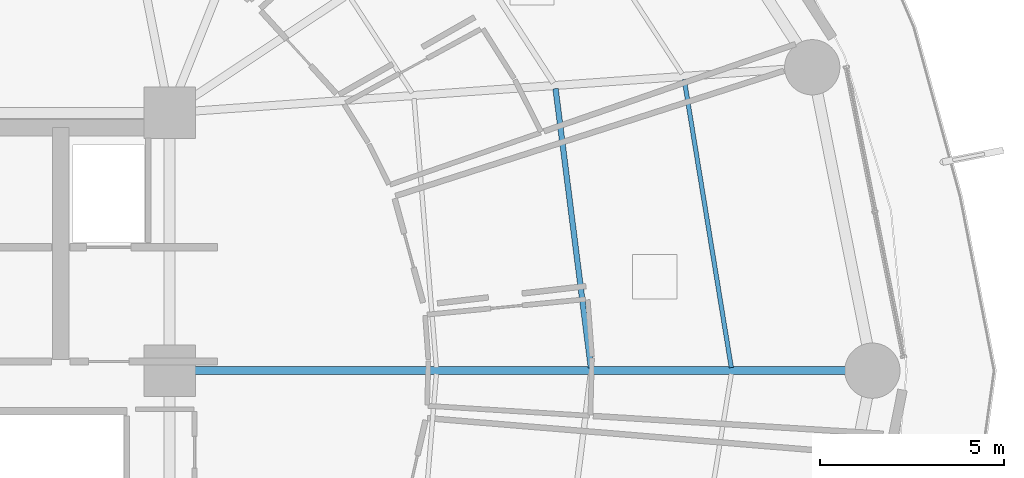
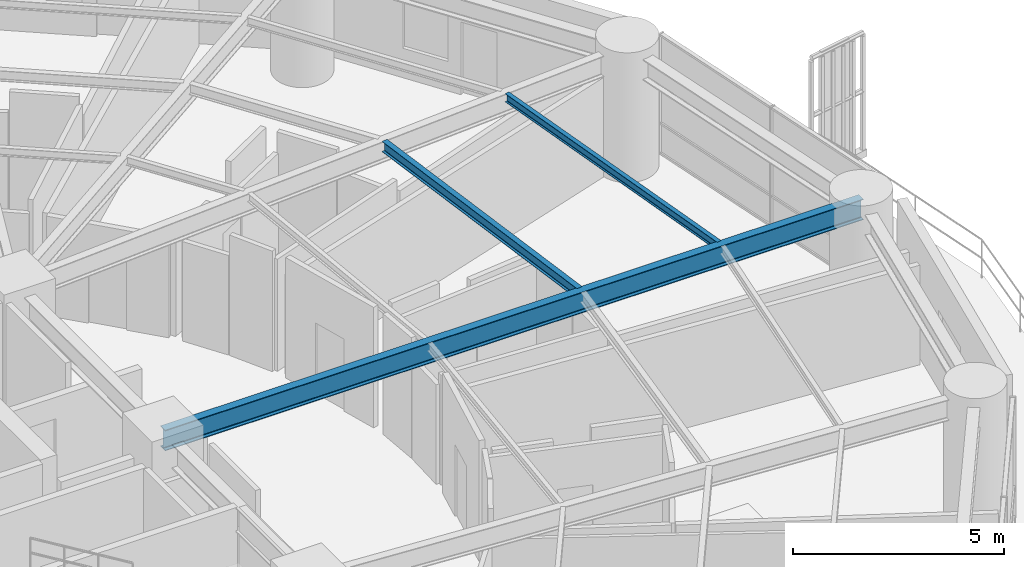
# One storey, part 13 of 31: 3 beams.
"""IFC4 building model written with IfcOpenShell, lengths in metres."""

from ifc_helpers import new_model, si_unit, direction, frame, origin, origin_2d, place, context, subcontext, project, spatial, i_section, extrude, material, material_profile, profile_set, type_object, element, save


model = new_model("IFC4")

# Units and contexts
model_context = context("Model", 3, precision=1e-05, world=origin(), true_north=direction((0.0, 1.0)))
body_context = subcontext(model_context, "Body", "Model", "MODEL_VIEW")
ifc_project = project(units=[si_unit("LENGTHUNIT", "METRE"), si_unit("AREAUNIT", "SQUARE_METRE"), si_unit("VOLUMEUNIT", "CUBIC_METRE"), si_unit("PLANEANGLEUNIT", "RADIAN"), si_unit("MASSUNIT", "GRAM", prefix="KILO")], contexts=[model_context])

# Site, building, storey
site_placement = place(None, origin())
site = spatial("IfcSite", under=ifc_project, at=site_placement, CompositionType="ELEMENT")
building_placement = place(site_placement, origin())
building = spatial("IfcBuilding", under=site, at=building_placement, Name="Kelanora Arch Commons", CompositionType="ELEMENT")
storey_placement = place(building_placement, frame((0.0, 0.0, 63.75)))
storey = spatial("IfcBuildingStorey", under=building, at=storey_placement, Name="L16", CompositionType="ELEMENT", Elevation=63.75)

# Beams
ifc_material = material(Name="Steel S355", Category="steel")
ifc_material_profile_1 = material_profile(ifc_material, i_section(OverallWidth=0.14990234375, OverallDepth=0.300048828125, WebThickness=0.007080078125, FlangeThickness=0.0107421875, FilletRadius=0.014892578125, at=origin_2d()), Name="IPE300")
ifc_profile_set_1 = profile_set([ifc_material_profile_1], Name="Steel S355")
beam_type_1 = type_object("IfcBeamType", Name="BM-JST-01", PredefinedType="JOIST", material=ifc_profile_set_1)
beam_1_placement = place(storey_placement, frame((93.437255859375, 58.084228515625, 3.340087890625), z_axis=(-0.125565841651, 0.992085288375, 0.0), x_axis=(-0.992085288375, -0.125565841651, 0.0)))
element("IfcBeam", 1, at=beam_1_placement, inside=storey, type_object=beam_type_1, Name="Secondary Chord Joist BJB-00 L16", PredefinedType="JOIST", context=body_context, shape_type="SweptSolid", body=[
    extrude(i_section(OverallWidth=0.14990234375, OverallDepth=0.300048828125, WebThickness=0.007080078125, FlangeThickness=0.0107421875, FilletRadius=0.014892578125, at=origin_2d()), origin(), (0.0, 0.0, 1.0), 7.63330078125),
])
ifc_material_profile_2 = material_profile(ifc_material, i_section(OverallWidth=0.1201171875, OverallDepth=0.239990234375, WebThickness=0.006103515625, FlangeThickness=0.009765625, FilletRadius=0.014892578125, at=origin_2d()), Name="IPE240")
ifc_profile_set_2 = profile_set([ifc_material_profile_2], Name="Steel S355")
beam_type_2 = type_object("IfcBeamType", Name="BM-JST-02", PredefinedType="JOIST", material=ifc_profile_set_2)
beam_2_placement = place(storey_placement, frame((97.250244140625, 58.083984375, 3.3701171875), z_axis=(-0.161400737199, 0.986888951216, 0.0), x_axis=(-0.986888951216, -0.161400737199, 0.0)))
element("IfcBeam", 2, at=beam_2_placement, inside=storey, type_object=beam_type_2, Name="Secondary Chord Joist BJC-00 L16", PredefinedType="JOIST", context=body_context, shape_type="SweptSolid", body=[
    extrude(i_section(OverallWidth=0.1201171875, OverallDepth=0.239990234375, WebThickness=0.006103515625, FlangeThickness=0.009765625, FilletRadius=0.014892578125, at=origin_2d()), origin(), (0.0, 0.0, 1.0), 7.9248046875),
])
ifc_material_profile_3 = material_profile(ifc_material, i_section(OverallWidth=0.219970703125, OverallDepth=0.60009765625, WebThickness=0.011962890625, FlangeThickness=0.01904296875, FilletRadius=0.02392578125, at=origin_2d()), Name="IPE600")
ifc_profile_set_3 = profile_set([ifc_material_profile_3], Name="Steel S355")
beam_type_3 = type_object("IfcBeamType", Name="BM-RAD-Z1", PredefinedType="BEAM", material=ifc_profile_set_3)
beam_3_placement = place(storey_placement, frame((82.0, 58.0, 3.18994140625), z_axis=(1.0, 0.0, 0.0), x_axis=(0.0, 1.0, 0.0)))
element("IfcBeam", 3, at=beam_3_placement, inside=storey, type_object=beam_type_3, Name="Radial Floor Girder BR-00 L16", PredefinedType="BEAM", context=body_context, shape_type="SweptSolid", body=[
    extrude(i_section(OverallWidth=0.219970703125, OverallDepth=0.60009765625, WebThickness=0.011962890625, FlangeThickness=0.01904296875, FilletRadius=0.02392578125, at=origin_2d()), origin(), (0.0, 0.0, 1.0), 19.080078125),
])

save(model, "model.ifc")
